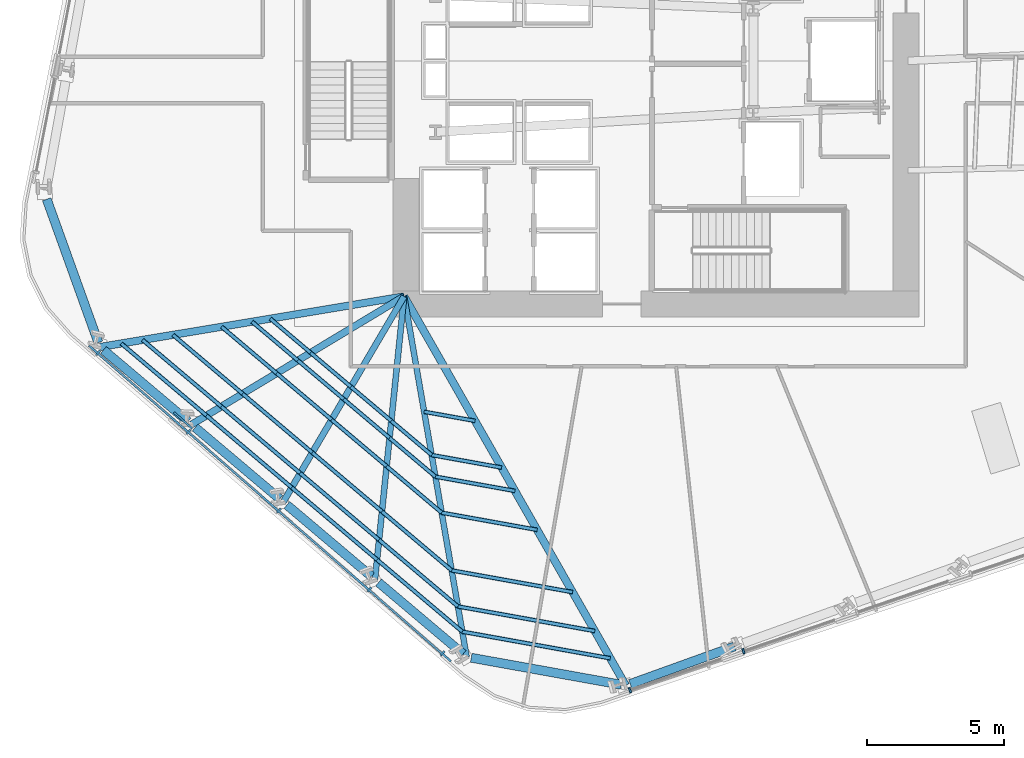
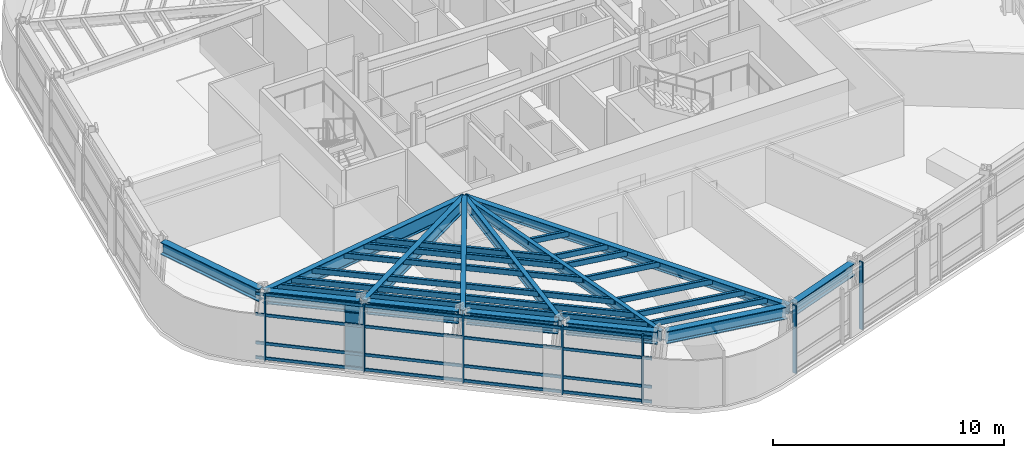
# One storey, part 2 of 16: 43 members, 13 beams, 2 elements without a shape of their own.
"""IFC4 building model written with IfcOpenShell, lengths in metres."""

from ifc_helpers import new_model, si_unit, direction, frame, origin, origin_2d, place, context, subcontext, project, spatial, rectangle, hollow_rectangle, i_section, extrude, material, layer, layer_set, material_profile, profile_set, type_object, element, aggregate, save


model = new_model("IFC4")

# Units and contexts
model_context = context("Model", 3, precision=1e-05, world=origin(), true_north=direction((0.0, 1.0)))
body_context = subcontext(model_context, "Body", "Model", "MODEL_VIEW")
ifc_project = project(units=[si_unit("LENGTHUNIT", "METRE"), si_unit("AREAUNIT", "SQUARE_METRE"), si_unit("VOLUMEUNIT", "CUBIC_METRE"), si_unit("PLANEANGLEUNIT", "RADIAN"), si_unit("MASSUNIT", "GRAM", prefix="KILO")], contexts=[model_context])

# Site, building, storey
site_placement = place(None, origin())
site = spatial("IfcSite", under=ifc_project, at=site_placement, CompositionType="ELEMENT")
building_placement = place(site_placement, origin())
building = spatial("IfcBuilding", under=site, at=building_placement, Name="Valkerne Bourse Tower", CompositionType="ELEMENT")
storey_placement = place(building_placement, frame((0.0, 0.0, 104.800048828125)))
storey = spatial("IfcBuildingStorey", under=building, at=storey_placement, Name="L26", CompositionType="ELEMENT", Elevation=104.800048828125)

# Beams
ifc_material_1 = material(Name="Steel ASTM A992", Category="steel")
ifc_material_profile_1 = material_profile(ifc_material_1, i_section(OverallWidth=0.279296875, OverallDepth=0.46240234375, WebThickness=0.0107421875, FlangeThickness=0.017333984375, FilletRadius=0.017822265625, at=origin_2d()), Name="W18X76")
ifc_profile_set_1 = profile_set([ifc_material_profile_1], Name="Steel ASTM A992")
beam_type_1 = type_object("IfcBeamType", Name="BM-W18X76", PredefinedType="BEAM", material=ifc_profile_set_1)
beam_1_placement = place(storey_placement, frame((45.6953125, 4.189697265625, 3.3486328125), z_axis=(-0.494990637819, 0.868898307324, 0.0), x_axis=(-0.868898307324, -0.494990637819, 0.0)))
element("IfcBeam", 1, at=beam_1_placement, inside=storey, type_object=beam_type_1, Name="L26 Radial Composite Floor Beam 20", PredefinedType="BEAM", context=body_context, shape_type="SweptSolid", body=[
    extrude(i_section(OverallWidth=0.279296875, OverallDepth=0.46240234375, WebThickness=0.0107421875, FlangeThickness=0.017333984375, FilletRadius=0.017822265625, at=origin_2d()), origin(), (0.0, 0.0, 1.0), 16.354248046875),
])
ifc_material_profile_2 = material_profile(ifc_material_1, i_section(OverallWidth=0.209228515625, OverallDepth=0.533447265625, WebThickness=0.01025390625, FlangeThickness=0.015625, FilletRadius=0.017822265625, at=origin_2d()), Name="W21X62")
ifc_profile_set_2 = profile_set([ifc_material_profile_2], Name="Steel ASTM A992")
beam_type_2 = type_object("IfcBeamType", Name="BM-W21X62", PredefinedType="JOIST", material=ifc_profile_set_2)
beam_2_placement = place(storey_placement, frame((39.88427734375, 5.235107421875, 3.313232421875), z_axis=(-0.170952521715, 0.98527926768, 0.0), x_axis=(-0.98527926768, -0.170952521715, 0.0)))
element("IfcBeam", 2, at=beam_2_placement, inside=storey, type_object=beam_type_2, Name="L26 Radial Composite Floor Beam 19", PredefinedType="JOIST", context=body_context, shape_type="SweptSolid", body=[
    extrude(i_section(OverallWidth=0.209228515625, OverallDepth=0.533447265625, WebThickness=0.01025390625, FlangeThickness=0.015625, FilletRadius=0.017822265625, at=origin_2d()), origin(), (0.0, 0.0, 1.0), 13.361572265625),
])
ifc_material_profile_3 = material_profile(ifc_material_1, i_section(OverallWidth=0.2138671875, OverallDepth=0.548583984375, WebThickness=0.0146484375, FlangeThickness=0.023681640625, FilletRadius=0.017822265625, at=origin_2d()), Name="W21X93")
ifc_profile_set_3 = profile_set([ifc_material_profile_3], Name="Steel ASTM A992")
beam_type_3 = type_object("IfcBeamType", Name="BM-W21X93", PredefinedType="BEAM", material=ifc_profile_set_3)
beam_3_placement = place(storey_placement, frame((36.53662109375, 8.064208984375, 3.3056640625), z_axis=(0.102353202084, 0.994748119889, 0.0), x_axis=(-0.994748119889, 0.102353202084, 0.0)))
element("IfcBeam", 3, at=beam_3_placement, inside=storey, type_object=beam_type_3, Name="L26 Radial Composite Floor Beam 18", PredefinedType="BEAM", context=body_context, shape_type="SweptSolid", body=[
    extrude(i_section(OverallWidth=0.2138671875, OverallDepth=0.548583984375, WebThickness=0.0146484375, FlangeThickness=0.023681640625, FilletRadius=0.017822265625, at=origin_2d()), origin(), (0.0, 0.0, 1.0), 10.390380859375),
])
ifc_material_profile_4 = material_profile(ifc_material_1, i_section(OverallWidth=0.330078125, OverallDepth=0.647705078125, WebThickness=0.0205078125, FlangeThickness=0.037109375, FilletRadius=0.020263671875, at=origin_2d()), Name="W24X192")
ifc_profile_set_4 = profile_set([ifc_material_profile_4], Name="Steel ASTM A992")
beam_type_4 = type_object("IfcBeamType", Name="BM-W24X192", PredefinedType="SPANDREL", material=ifc_profile_set_4)
beam_4_placement = place(storey_placement, frame((24.55078125, 21.947021484375, 3.256103515625), z_axis=(0.338736557211, -0.940881259676, 0.0), x_axis=(0.940881259676, 0.338736557211, 0.0)))
element("IfcBeam", 4, at=beam_4_placement, inside=storey, type_object=beam_type_4, Name="L26 Hexagonal Spandrel Ring Beam 14", PredefinedType="SPANDREL", context=body_context, shape_type="SweptSolid", body=[
    extrude(i_section(OverallWidth=0.330078125, OverallDepth=0.647705078125, WebThickness=0.0205078125, FlangeThickness=0.037109375, FilletRadius=0.020263671875, at=origin_2d()), origin(), (0.0, 0.0, 1.0), 5.56494140625),
])
for number, where, z_axis, x_axis, name in (
    (5, (26.623046875, 16.441650390625, 3.256103515625), (0.763802987372, -0.645449453081, 0.0), (0.645449453081, 0.763802987372, 0.0), "L26 Hexagonal Spandrel Ring Beam 15"),
    (6, (29.970947265625, 13.612548828125, 3.256103515625), (0.763802987372, -0.645449453081, 0.0), (0.645449453081, 0.763802987372, 0.0), "L26 Hexagonal Spandrel Ring Beam 16"),
    (7, (33.318603515625, 10.78369140625, 3.256103515625), (0.763773218411, -0.645484679011, 0.0), (0.645484679011, 0.763773218411, 0.0), "L26 Hexagonal Spandrel Ring Beam 17"),
    (8, (36.666259765625, 7.95458984375, 3.256103515625), (0.763802987372, -0.645449453081, 0.0), (0.645449453081, 0.763802987372, 0.0), "L26 Hexagonal Spandrel Ring Beam 18"),
):
    element("IfcBeam", number, at=place(storey_placement, frame(where, z_axis=z_axis, x_axis=x_axis)), inside=storey, type_object=beam_type_4, Name=name, PredefinedType="SPANDREL", context=body_context, shape_type="SweptSolid", body=[
        extrude(i_section(OverallWidth=0.330078125, OverallDepth=0.647705078125, WebThickness=0.0205078125, FlangeThickness=0.037109375, FilletRadius=0.020263671875, at=origin_2d()), origin(), (0.0, 0.0, 1.0), 4.043212890625),
    ])
beam_5_placement = place(storey_placement, frame((40.051513671875, 5.205078125, 3.256103515625), z_axis=(0.984196784419, -0.177078201762, 0.0), x_axis=(0.177078201762, 0.984196784419, 0.0)))
element("IfcBeam", 9, at=beam_5_placement, inside=storey, type_object=beam_type_4, Name="L26 Hexagonal Spandrel Ring Beam 19", PredefinedType="SPANDREL", context=body_context, shape_type="SweptSolid", body=[
    extrude(i_section(OverallWidth=0.330078125, OverallDepth=0.647705078125, WebThickness=0.0205078125, FlangeThickness=0.037109375, FilletRadius=0.020263671875, at=origin_2d()), origin(), (0.0, 0.0, 1.0), 5.564453125),
])
beam_6_placement = place(storey_placement, frame((45.855224609375, 4.247314453125, 3.256103515625), z_axis=(0.940897418374, 0.338691671137, 0.0), x_axis=(-0.338691671137, 0.940897418374, 0.0)))
element("IfcBeam", 10, at=beam_6_placement, inside=storey, type_object=beam_type_4, Name="L26 Hexagonal Spandrel Ring Beam 20", PredefinedType="SPANDREL", context=body_context, shape_type="SweptSolid", body=[
    extrude(i_section(OverallWidth=0.330078125, OverallDepth=0.647705078125, WebThickness=0.0205078125, FlangeThickness=0.037109375, FilletRadius=0.020263671875, at=origin_2d()), origin(), (0.0, 0.0, 1.0), 4.043212890625),
])
ifc_material_profile_5 = material_profile(ifc_material_1, i_section(OverallWidth=0.228271484375, OverallDepth=0.607177734375, WebThickness=0.01123046875, FlangeThickness=0.017333984375, FilletRadius=0.017822265625, at=origin_2d()), Name="W24X76")
ifc_profile_set_5 = profile_set([ifc_material_profile_5], Name="Steel ASTM A992")
beam_type_5 = type_object("IfcBeamType", Name="BM-W24X76", PredefinedType="JOIST", material=ifc_profile_set_5)
beam_7_placement = place(storey_placement, frame((33.188720703125, 10.893310546875, 3.2763671875), z_axis=(0.506656137035, 0.862148223222, 0.0), x_axis=(-0.862148223222, 0.506656137035, 0.0)))
element("IfcBeam", 11, at=beam_7_placement, inside=storey, type_object=beam_type_5, Name="L26 Radial Composite Floor Beam 17", PredefinedType="JOIST", context=body_context, shape_type="SweptSolid", body=[
    extrude(i_section(OverallWidth=0.228271484375, OverallDepth=0.607177734375, WebThickness=0.01123046875, FlangeThickness=0.017333984375, FilletRadius=0.017822265625, at=origin_2d()), origin(), (0.0, 0.0, 1.0), 8.706787109375),
])
ifc_material_profile_6 = material_profile(ifc_material_1, i_section(OverallWidth=0.255859375, OverallDepth=0.693359375, WebThickness=0.014404296875, FlangeThickness=0.023681640625, FilletRadius=0.02294921875, at=origin_2d()), Name="W27X114")
ifc_profile_set_6 = profile_set([ifc_material_profile_6], Name="Steel ASTM A992")
beam_type_6 = type_object("IfcBeamType", Name="BM-W27X114", PredefinedType="BEAM", material=ifc_profile_set_6)
beam_8_placement = place(storey_placement, frame((29.841064453125, 13.722412109375, 3.233154296875), z_axis=(0.856416327902, 0.51628584457, 0.0), x_axis=(-0.51628584457, 0.856416327902, 0.0)))
element("IfcBeam", 12, at=beam_8_placement, inside=storey, type_object=beam_type_6, Name="L26 Radial Composite Floor Beam 16", PredefinedType="BEAM", context=body_context, shape_type="SweptSolid", body=[
    extrude(i_section(OverallWidth=0.255859375, OverallDepth=0.693359375, WebThickness=0.014404296875, FlangeThickness=0.023681640625, FilletRadius=0.02294921875, at=origin_2d()), origin(), (0.0, 0.0, 1.0), 9.059814453125),
])
ifc_material_profile_7 = material_profile(ifc_material_1, i_section(OverallWidth=0.26806640625, OverallDepth=0.76953125, WebThickness=0.015625, FlangeThickness=0.025390625, FilletRadius=0.025390625, at=origin_2d()), Name="W30X132")
ifc_profile_set_7 = profile_set([ifc_material_profile_7], Name="Steel ASTM A992")
beam_type_7 = type_object("IfcBeamType", Name="BM-W30X132", PredefinedType="BEAM", material=ifc_profile_set_7)
beam_9_placement = place(storey_placement, frame((26.493408203125, 16.551513671875, 3.195068359375), z_axis=(0.986433159846, 0.164163397736, 0.0), x_axis=(-0.164163397736, 0.986433159846, 0.0)))
element("IfcBeam", 13, at=beam_9_placement, inside=storey, type_object=beam_type_7, Name="L26 Radial Composite Floor Beam 15", PredefinedType="BEAM", context=body_context, shape_type="SweptSolid", body=[
    extrude(i_section(OverallWidth=0.26806640625, OverallDepth=0.76953125, WebThickness=0.015625, FlangeThickness=0.025390625, FilletRadius=0.025390625, at=origin_2d()), origin(), (0.0, 0.0, 1.0), 11.259521484375),
])

# Curtain wall, members
ifc_material_2 = material(Name="Aluminium AA 6063-T6", Category="aluminium")
ifc_layer = layer(ifc_material_2, 0.22998046875)
ifc_layer_set = layer_set([ifc_layer], Name="Aluminium AA 6063-T6")
curtain_wall_type = type_object("IfcCurtainWallType", Name="CW-02", PredefinedType="NOTDEFINED", material=ifc_layer_set)
curtain_wall_1_placement = place(storey_placement, origin())
curtain_wall_1 = element("IfcCurtainWall", 14, at=curtain_wall_1_placement, inside=storey, type_object=curtain_wall_type, Name="L26 Hexagonal Stick Curtain Wall Face 4", PredefinedType="NOTDEFINED")
ifc_material_profile_8 = material_profile(ifc_material_2, rectangle(XDim=0.074951171875, YDim=0.199951171875, at=origin_2d()), Name="CWM-75X200")
ifc_profile_set_8 = profile_set([ifc_material_profile_8], Name="Aluminium AA 6063-T6")
member_type_1 = type_object("IfcMemberType", Name="CW-MUL-220X75", PredefinedType="MULLION", material=ifc_profile_set_8)
member_1_placement = place(storey_placement, frame((26.4248046875, 16.33935546875, 0.0), z_axis=(0.0, 0.0, 1.0), x_axis=(0.753563766815, -0.657374816481, 0.0)))
member_1 = element("IfcMember", 15, at=member_1_placement, type_object=member_type_1, Name="CW-L26-F4 Jamb Mullion 00A", PredefinedType="MULLION", context=body_context, shape_type="SweptSolid", body=[
    extrude(rectangle(XDim=0.074951171875, YDim=0.199951171875, at=origin_2d()), origin(), (0.0, 0.0, 1.0), 3.579833984375),
])
member_2_placement = place(storey_placement, frame((29.7275390625, 13.4580078125, 0.0), z_axis=(0.0, 0.0, 1.0), x_axis=(0.753575068934, -0.65736186038, 0.0)))
member_2 = element("IfcMember", 16, at=member_2_placement, type_object=member_type_1, Name="CW-L26-F4 Jamb Mullion 01A", PredefinedType="MULLION", context=body_context, shape_type="SweptSolid", body=[
    extrude(rectangle(XDim=0.074951171875, YDim=0.199951171875, at=origin_2d()), origin(), (0.0, 0.0, 1.0), 3.579833984375),
])
member_3_placement = place(storey_placement, frame((33.030517578125, 10.576904296875, 0.0), z_axis=(0.0, 0.0, 1.0), x_axis=(0.75355390716, -0.657386118658, 0.0)))
member_3 = element("IfcMember", 17, at=member_3_placement, type_object=member_type_1, Name="CW-L26-F4 Jamb Mullion 02A", PredefinedType="MULLION", context=body_context, shape_type="SweptSolid", body=[
    extrude(rectangle(XDim=0.074951171875, YDim=0.199951171875, at=origin_2d()), origin(), (0.0, 0.0, 1.0), 3.579833984375),
])
member_4_placement = place(storey_placement, frame((36.333251953125, 7.695556640625, 0.0), z_axis=(0.0, 0.0, 1.0), x_axis=(0.753563766815, -0.657374816481, 0.0)))
member_4 = element("IfcMember", 18, at=member_4_placement, type_object=member_type_1, Name="CW-L26-F4 Jamb Mullion 03A", PredefinedType="MULLION", context=body_context, shape_type="SweptSolid", body=[
    extrude(rectangle(XDim=0.074951171875, YDim=0.199951171875, at=origin_2d()), origin(), (0.0, 0.0, 1.0), 3.579833984375),
])
member_5_placement = place(storey_placement, frame((39.003173828125, 5.366455078125, 0.0), z_axis=(0.0, 0.0, 1.0), x_axis=(0.753563766815, -0.657374816481, 0.0)))
member_5 = element("IfcMember", 19, at=member_5_placement, type_object=member_type_1, Name="CW-L26-F4 Jamb Mullion 03B", PredefinedType="MULLION", context=body_context, shape_type="SweptSolid", body=[
    extrude(rectangle(XDim=0.074951171875, YDim=0.199951171875, at=origin_2d()), origin(), (0.0, 0.0, 1.0), 3.579833984375),
])

curtain_wall_2_placement = place(storey_placement, origin())
curtain_wall_2 = element("IfcCurtainWall", 20, at=curtain_wall_2_placement, inside=storey, type_object=curtain_wall_type, Name="L26 Hexagonal Stick Curtain Wall Face 5", PredefinedType="NOTDEFINED")
member_6_placement = place(storey_placement, frame((45.8447265625, 4.024169921875, 0.0), z_axis=(0.0, 0.0, 1.0), x_axis=(0.946087647887, 0.323910732325, 0.0)))
member_6 = element("IfcMember", 21, at=member_6_placement, type_object=member_type_1, Name="CW-L26-F5 Jamb Mullion 00A", PredefinedType="MULLION", context=body_context, shape_type="SweptSolid", body=[
    extrude(rectangle(XDim=0.074951171875, YDim=0.199951171875, at=origin_2d()), origin(), (0.0, 0.0, 1.0), 3.579833984375),
])
member_7_placement = place(storey_placement, frame((49.991455078125, 5.44384765625, 0.0), z_axis=(0.0, 0.0, 1.0), x_axis=(0.946087647887, 0.323910732325, 0.0)))
member_7 = element("IfcMember", 22, at=member_7_placement, type_object=member_type_1, Name="CW-L26-F5 Jamb Mullion 01A", PredefinedType="MULLION", context=body_context, shape_type="SweptSolid", body=[
    extrude(rectangle(XDim=0.074951171875, YDim=0.199951171875, at=origin_2d()), origin(), (0.0, 0.0, 1.0), 3.579833984375),
])
aggregate(curtain_wall_2, [member_6, member_7])

# Member
ifc_material_profile_9 = material_profile(ifc_material_2, rectangle(XDim=0.074951171875, YDim=0.14990234375, at=origin_2d()), Name="CWT-75X150")
ifc_profile_set_9 = profile_set([ifc_material_profile_9], Name="Aluminium AA 6063-T6")
member_type_2 = type_object("IfcMemberType", Name="CW-TRN-180X65", PredefinedType="USERDEFINED", material=ifc_profile_set_9)
member_8_placement = place(storey_placement, frame((26.094970703125, 16.600341796875, 0.119873046875), z_axis=(0.753560984646, -0.657378005732, 0.0), x_axis=(0.657378005732, 0.753560984646, 0.0)))
member_8 = element("IfcMember", 23, at=member_8_placement, type_object=member_type_2, Name="CW-L26-F4 Continuous Face Transom 1", ObjectType="TRANSOM", PredefinedType="USERDEFINED", context=body_context, shape_type="SweptSolid", body=[
    extrude(rectangle(XDim=0.074951171875, YDim=0.14990234375, at=origin_2d()), origin(), (0.0, 0.0, 1.0), 17.531982421875),
])

member_9_placement = place(storey_placement, frame((26.094970703125, 16.600341796875, 0.89990234375), z_axis=(0.753560984646, -0.657378005732, 0.0), x_axis=(0.657378005732, 0.753560984646, 0.0)))
member_9 = element("IfcMember", 24, at=member_9_placement, type_object=member_type_2, Name="CW-L26-F4 Continuous Face Transom 2", ObjectType="TRANSOM", PredefinedType="USERDEFINED", context=body_context, shape_type="SweptSolid", body=[
    extrude(rectangle(XDim=0.074951171875, YDim=0.14990234375, at=origin_2d()), origin(), (0.0, 0.0, 1.0), 17.531982421875),
])

member_10_placement = place(storey_placement, frame((26.094970703125, 16.600341796875, 2.39990234375), z_axis=(0.753560984646, -0.657378005732, 0.0), x_axis=(0.657378005732, 0.753560984646, 0.0)))
member_10 = element("IfcMember", 25, at=member_10_placement, type_object=member_type_2, Name="CW-L26-F4 Continuous Face Transom 3", ObjectType="TRANSOM", PredefinedType="USERDEFINED", context=body_context, shape_type="SweptSolid", body=[
    extrude(rectangle(XDim=0.074951171875, YDim=0.14990234375, at=origin_2d()), origin(), (0.0, 0.0, 1.0), 17.531982421875),
])

member_11_placement = place(storey_placement, frame((26.094970703125, 16.600341796875, 3.5), z_axis=(0.753560984646, -0.657378005732, 0.0), x_axis=(0.657378005732, 0.753560984646, 0.0)))
member_11 = element("IfcMember", 26, at=member_11_placement, type_object=member_type_2, Name="CW-L26-F4 Continuous Face Transom 4", ObjectType="TRANSOM", PredefinedType="USERDEFINED", context=body_context, shape_type="SweptSolid", body=[
    extrude(rectangle(XDim=0.074951171875, YDim=0.14990234375, at=origin_2d()), origin(), (0.0, 0.0, 1.0), 17.531982421875),
])

aggregate(curtain_wall_1, [member_8, member_9, member_10, member_11, member_1, member_2, member_3, member_4, member_5])

# Members
ifc_material_3 = material(Name="Bronze Anodised Aluminium AA 6063-T6", Category="aluminium")
ifc_material_profile_10 = material_profile(ifc_material_3, rectangle(XDim=0.070068359375, YDim=0.89990234375, at=origin_2d()), Name="FIN-70X900")
ifc_profile_set_10 = profile_set([ifc_material_profile_10], Name="Bronze Anodised Aluminium AA 6063-T6")
member_type_3 = type_object("IfcMemberType", Name="FIN-SOLAR-900", PredefinedType="USERDEFINED", material=ifc_profile_set_10)
member_12_placement = place(storey_placement, frame((29.529296875, 13.86962890625, 0.00390625), z_axis=(0.0, 0.0, 1.0), x_axis=(-0.664079497951, -0.747661969343, 0.0)))
element("IfcMember", 27, at=member_12_placement, inside=storey, type_object=member_type_3, Name="L26 Bronze Anodised Solar Fin F4-01", ObjectType="SOLAR_FIN", PredefinedType="USERDEFINED", context=body_context, shape_type="SweptSolid", body=[
    extrude(rectangle(XDim=0.070068359375, YDim=0.89990234375, at=origin_2d()), origin(), (0.0, 0.0, 1.0), 3.572021484375),
])
ifc_material_4 = material(Name="Steel ASTM A500 Grade C", Category="steel")
ifc_material_profile_11 = material_profile(ifc_material_4, hollow_rectangle(XDim=0.14990234375, YDim=0.300048828125, WallThickness=0.012451171875, OuterFilletRadius=0.02490234375, at=origin_2d()), Name="HSS300X150X12.5")
ifc_profile_set_11 = profile_set([ifc_material_profile_11], Name="Steel ASTM A500 Grade C")
member_type_4 = type_object("IfcMemberType", Name="MBR-HSS300X150X12.5", PredefinedType="PURLIN", material=ifc_profile_set_11)
member_13_placement = place(storey_placement, frame((38.330810546875, 14.187255859375, 3.419921875), z_axis=(0.984207194957, -0.177020330457, 0.0), x_axis=(0.177020330457, 0.984207194957, 0.0)))
element("IfcMember", 28, at=member_13_placement, inside=storey, type_object=member_type_4, Name="L26 Secondary Composite Floor Purlin I-19", PredefinedType="PURLIN", context=body_context, shape_type="SweptSolid", body=[
    extrude(hollow_rectangle(XDim=0.14990234375, YDim=0.300048828125, WallThickness=0.012451171875, OuterFilletRadius=0.02490234375, at=origin_2d()), origin(), (0.0, 0.0, 1.0), 1.889404296875),
])
for number, where, z_axis, x_axis, name in (
    (29, (32.713134765625, 17.586669921875, 3.419921875), (0.763751108019, -0.645510840343, 0.0), (0.645510840343, 0.763751108019, 0.0), "L26 Secondary Composite Floor Purlin K-15"),
    (30, (34.18603515625, 16.341796875, 3.419921875), (0.763866257357, -0.645374574081, 0.0), (0.645374574081, 0.763866257357, 0.0), "L26 Secondary Composite Floor Purlin K-16"),
    (31, (35.6591796875, 15.09716796875, 3.419921875), (0.763751108019, -0.645510840343, 0.0), (0.645510840343, 0.763751108019, 0.0), "L26 Secondary Composite Floor Purlin K-17"),
    (32, (37.132080078125, 13.852294921875, 3.419921875), (0.763751108019, -0.645510840343, 0.0), (0.645510840343, 0.763751108019, 0.0), "L26 Secondary Composite Floor Purlin K-18"),
):
    element("IfcMember", number, at=place(storey_placement, frame(where, z_axis=z_axis, x_axis=x_axis)), inside=storey, type_object=member_type_4, Name=name, PredefinedType="PURLIN", context=body_context, shape_type="SweptSolid", body=[
        extrude(hollow_rectangle(XDim=0.14990234375, YDim=0.300048828125, WallThickness=0.012451171875, OuterFilletRadius=0.02490234375, at=origin_2d()), origin(), (0.0, 0.0, 1.0), 1.928466796875),
    ])
member_14_placement = place(storey_placement, frame((38.60498046875, 12.607421875, 3.419921875), z_axis=(0.984204942402, -0.177032853875, 0.0), x_axis=(0.177032853875, 0.984204942402, 0.0)))
element("IfcMember", 33, at=member_14_placement, inside=storey, type_object=member_type_4, Name="L26 Secondary Composite Floor Purlin K-19", PredefinedType="PURLIN", context=body_context, shape_type="SweptSolid", body=[
    extrude(hollow_rectangle(XDim=0.14990234375, YDim=0.300048828125, WallThickness=0.012451171875, OuterFilletRadius=0.02490234375, at=origin_2d()), origin(), (0.0, 0.0, 1.0), 2.59814453125),
])
member_15_placement = place(storey_placement, frame((32.046630859375, 17.4755859375, 3.419921875), z_axis=(0.763829761363, -0.645417768315, 0.0), x_axis=(0.645417768315, 0.763829761363, 0.0)))
element("IfcMember", 34, at=member_15_placement, inside=storey, type_object=member_type_4, Name="L26 Secondary Composite Floor Purlin M-15", PredefinedType="PURLIN", context=body_context, shape_type="SweptSolid", body=[
    extrude(hollow_rectangle(XDim=0.14990234375, YDim=0.300048828125, WallThickness=0.012451171875, OuterFilletRadius=0.02490234375, at=origin_2d()), origin(), (0.0, 0.0, 1.0), 2.191650390625),
])
for number, where, z_axis, x_axis, name in (
    (35, (33.720703125, 16.06103515625, 3.419921875), (0.763736932053, -0.645527612592, 0.0), (0.645527612592, 0.763736932053, 0.0), "L26 Secondary Composite Floor Purlin M-16"),
    (36, (35.394287109375, 14.646484375, 3.419921875), (0.763838275954, -0.645407691453, 0.0), (0.645407691453, 0.763838275954, 0.0), "L26 Secondary Composite Floor Purlin M-17"),
):
    element("IfcMember", number, at=place(storey_placement, frame(where, z_axis=z_axis, x_axis=x_axis)), inside=storey, type_object=member_type_4, Name=name, PredefinedType="PURLIN", context=body_context, shape_type="SweptSolid", body=[
        extrude(hollow_rectangle(XDim=0.14990234375, YDim=0.300048828125, WallThickness=0.012451171875, OuterFilletRadius=0.02490234375, at=origin_2d()), origin(), (0.0, 0.0, 1.0), 2.19140625),
    ])
member_16_placement = place(storey_placement, frame((37.068115234375, 13.232177734375, 3.419921875), z_axis=(0.763829761363, -0.645417768315, 0.0), x_axis=(0.645417768315, 0.763829761363, 0.0)))
element("IfcMember", 37, at=member_16_placement, inside=storey, type_object=member_type_4, Name="L26 Secondary Composite Floor Purlin M-18", PredefinedType="PURLIN", context=body_context, shape_type="SweptSolid", body=[
    extrude(hollow_rectangle(XDim=0.14990234375, YDim=0.300048828125, WallThickness=0.012451171875, OuterFilletRadius=0.02490234375, at=origin_2d()), origin(), (0.0, 0.0, 1.0), 2.191650390625),
])
member_17_placement = place(storey_placement, frame((38.7421875, 11.817626953125, 3.419921875), z_axis=(0.98420033344, -0.177058475245, 0.0), x_axis=(0.177058475245, 0.98420033344, 0.0)))
element("IfcMember", 38, at=member_17_placement, inside=storey, type_object=member_type_4, Name="L26 Secondary Composite Floor Purlin M-19", PredefinedType="PURLIN", context=body_context, shape_type="SweptSolid", body=[
    extrude(hollow_rectangle(XDim=0.14990234375, YDim=0.300048828125, WallThickness=0.012451171875, OuterFilletRadius=0.02490234375, at=origin_2d()), origin(), (0.0, 0.0, 1.0), 2.9521484375),
])
member_18_placement = place(storey_placement, frame((29.158935546875, 16.9951171875, 3.419921875), z_axis=(0.763775352292, -0.645482154077, 0.0), x_axis=(0.645482154077, 0.763775352292, 0.0)))
element("IfcMember", 39, at=member_18_placement, inside=storey, type_object=member_type_4, Name="L26 Secondary Composite Floor Purlin O-15", PredefinedType="PURLIN", context=body_context, shape_type="SweptSolid", body=[
    extrude(hollow_rectangle(XDim=0.14990234375, YDim=0.300048828125, WallThickness=0.012451171875, OuterFilletRadius=0.02490234375, at=origin_2d()), origin(), (0.0, 0.0, 1.0), 3.3310546875),
])
member_19_placement = place(storey_placement, frame((31.703125, 14.844970703125, 3.419921875), z_axis=(0.763805886612, -0.645446022202, 0.0), x_axis=(0.645446022202, 0.763805886612, 0.0)))
element("IfcMember", 40, at=member_19_placement, inside=storey, type_object=member_type_4, Name="L26 Secondary Composite Floor Purlin O-16", PredefinedType="PURLIN", context=body_context, shape_type="SweptSolid", body=[
    extrude(hollow_rectangle(XDim=0.14990234375, YDim=0.300048828125, WallThickness=0.012451171875, OuterFilletRadius=0.02490234375, at=origin_2d()), origin(), (0.0, 0.0, 1.0), 3.331298828125),
])
member_20_placement = place(storey_placement, frame((34.24755859375, 12.69482421875, 3.419921875), z_axis=(0.763811485979, -0.645439395982, 0.0), x_axis=(0.645439395982, 0.763811485979, 0.0)))
element("IfcMember", 41, at=member_20_placement, inside=storey, type_object=member_type_4, Name="L26 Secondary Composite Floor Purlin O-17", PredefinedType="PURLIN", context=body_context, shape_type="SweptSolid", body=[
    extrude(hollow_rectangle(XDim=0.14990234375, YDim=0.300048828125, WallThickness=0.012451171875, OuterFilletRadius=0.02490234375, at=origin_2d()), origin(), (0.0, 0.0, 1.0), 3.330810546875),
])
member_21_placement = place(storey_placement, frame((36.791748046875, 10.544921875, 3.419921875), z_axis=(0.763775352292, -0.645482154077, 0.0), x_axis=(0.645482154077, 0.763775352292, 0.0)))
element("IfcMember", 42, at=member_21_placement, inside=storey, type_object=member_type_4, Name="L26 Secondary Composite Floor Purlin O-18", PredefinedType="PURLIN", context=body_context, shape_type="SweptSolid", body=[
    extrude(hollow_rectangle(XDim=0.14990234375, YDim=0.300048828125, WallThickness=0.012451171875, OuterFilletRadius=0.02490234375, at=origin_2d()), origin(), (0.0, 0.0, 1.0), 3.3310546875),
])
member_22_placement = place(storey_placement, frame((39.3359375, 8.394775390625, 3.419921875), z_axis=(0.984194704719, -0.177089760302, 0.0), x_axis=(0.177089760302, 0.984194704719, 0.0)))
element("IfcMember", 43, at=member_22_placement, inside=storey, type_object=member_type_4, Name="L26 Secondary Composite Floor Purlin O-19", PredefinedType="PURLIN", context=body_context, shape_type="SweptSolid", body=[
    extrude(hollow_rectangle(XDim=0.14990234375, YDim=0.300048828125, WallThickness=0.012451171875, OuterFilletRadius=0.02490234375, at=origin_2d()), origin(), (0.0, 0.0, 1.0), 4.487548828125),
])
member_23_placement = place(storey_placement, frame((30.93603515625, 17.290771484375, 3.419921875), z_axis=(0.763812232645, -0.645438512379, 0.0), x_axis=(0.645438512379, 0.763812232645, 0.0)))
element("IfcMember", 44, at=member_23_placement, inside=storey, type_object=member_type_4, Name="L26 Secondary Composite Floor Purlin Z-15", PredefinedType="PURLIN", context=body_context, shape_type="SweptSolid", body=[
    extrude(hollow_rectangle(XDim=0.14990234375, YDim=0.300048828125, WallThickness=0.012451171875, OuterFilletRadius=0.02490234375, at=origin_2d()), origin(), (0.0, 0.0, 1.0), 2.629638671875),
])
for number, where, z_axis, x_axis, name in (
    (45, (32.944580078125, 15.593505859375, 3.419921875), (0.763805140113, -0.645446905591, 0.0), (0.645446905591, 0.763805140113, 0.0), "L26 Secondary Composite Floor Purlin Z-16"),
    (46, (34.953369140625, 13.89599609375, 3.419921875), (0.763766462868, -0.645492672459, 0.0), (0.645492672459, 0.763766462868, 0.0), "L26 Secondary Composite Floor Purlin Z-17"),
):
    element("IfcMember", number, at=place(storey_placement, frame(where, z_axis=z_axis, x_axis=x_axis)), inside=storey, type_object=member_type_4, Name=name, PredefinedType="PURLIN", context=body_context, shape_type="SweptSolid", body=[
        extrude(hollow_rectangle(XDim=0.14990234375, YDim=0.300048828125, WallThickness=0.012451171875, OuterFilletRadius=0.02490234375, at=origin_2d()), origin(), (0.0, 0.0, 1.0), 2.6298828125),
    ])
member_24_placement = place(storey_placement, frame((36.9619140625, 12.198486328125, 3.419921875), z_axis=(0.763812232645, -0.645438512379, 0.0), x_axis=(0.645438512379, 0.763812232645, 0.0)))
element("IfcMember", 47, at=member_24_placement, inside=storey, type_object=member_type_4, Name="L26 Secondary Composite Floor Purlin Z-18", PredefinedType="PURLIN", context=body_context, shape_type="SweptSolid", body=[
    extrude(hollow_rectangle(XDim=0.14990234375, YDim=0.300048828125, WallThickness=0.012451171875, OuterFilletRadius=0.02490234375, at=origin_2d()), origin(), (0.0, 0.0, 1.0), 2.629638671875),
])
member_25_placement = place(storey_placement, frame((38.970458984375, 10.501220703125, 3.419921875), z_axis=(0.984192453893, -0.177102269045, 0.0), x_axis=(0.177102269045, 0.984192453893, 0.0)))
element("IfcMember", 48, at=member_25_placement, inside=storey, type_object=member_type_4, Name="L26 Secondary Composite Floor Purlin Z-19", PredefinedType="PURLIN", context=body_context, shape_type="SweptSolid", body=[
    extrude(hollow_rectangle(XDim=0.14990234375, YDim=0.300048828125, WallThickness=0.012451171875, OuterFilletRadius=0.02490234375, at=origin_2d()), origin(), (0.0, 0.0, 1.0), 3.542724609375),
])
for number, where, z_axis, x_axis, name in (
    (49, (28.048095703125, 16.810302734375, 3.419921875), (0.763791484096, -0.64546306542, 0.0), (0.64546306542, 0.763791484096, 0.0), "L26 Secondary Composite Floor Purlin T-15"),
    (50, (30.92724609375, 14.377197265625, 3.419921875), (0.763791484096, -0.64546306542, 0.0), (0.64546306542, 0.763791484096, 0.0), "L26 Secondary Composite Floor Purlin T-16"),
):
    element("IfcMember", number, at=place(storey_placement, frame(where, z_axis=z_axis, x_axis=x_axis)), inside=storey, type_object=member_type_4, Name=name, PredefinedType="PURLIN", context=body_context, shape_type="SweptSolid", body=[
        extrude(hollow_rectangle(XDim=0.14990234375, YDim=0.300048828125, WallThickness=0.012451171875, OuterFilletRadius=0.02490234375, at=origin_2d()), origin(), (0.0, 0.0, 1.0), 3.76953125),
    ])
for number, where, z_axis, x_axis, name in (
    (51, (33.806396484375, 11.944091796875, 3.419921875), (0.763796431173, -0.645457211384, 0.0), (0.645457211384, 0.763796431173, 0.0), "L26 Secondary Composite Floor Purlin T-17"),
    (52, (36.685302734375, 9.51123046875, 3.419921875), (0.763823414335, -0.645425279729, 0.0), (0.645425279729, 0.763823414335, 0.0), "L26 Secondary Composite Floor Purlin T-18"),
):
    element("IfcMember", number, at=place(storey_placement, frame(where, z_axis=z_axis, x_axis=x_axis)), inside=storey, type_object=member_type_4, Name=name, PredefinedType="PURLIN", context=body_context, shape_type="SweptSolid", body=[
        extrude(hollow_rectangle(XDim=0.14990234375, YDim=0.300048828125, WallThickness=0.012451171875, OuterFilletRadius=0.02490234375, at=origin_2d()), origin(), (0.0, 0.0, 1.0), 3.769287109375),
    ])
member_26_placement = place(storey_placement, frame((39.564453125, 7.078369140625, 3.419921875), z_axis=(0.984196733617, -0.177078484119, 0.0), x_axis=(0.177078484119, 0.984196733617, 0.0)))
element("IfcMember", 53, at=member_26_placement, inside=storey, type_object=member_type_4, Name="L26 Secondary Composite Floor Purlin T-19", PredefinedType="PURLIN", context=body_context, shape_type="SweptSolid", body=[
    extrude(hollow_rectangle(XDim=0.14990234375, YDim=0.300048828125, WallThickness=0.012451171875, OuterFilletRadius=0.02490234375, at=origin_2d()), origin(), (0.0, 0.0, 1.0), 5.077880859375),
])
member_27_placement = place(storey_placement, frame((27.270751953125, 16.680908203125, 3.419921875), z_axis=(0.763799588638, -0.645453475006, 0.0), x_axis=(0.645453475006, 0.763799588638, 0.0)))
element("IfcMember", 54, at=member_27_placement, inside=storey, type_object=member_type_4, Name="L26 Secondary Composite Floor Purlin U-15", PredefinedType="PURLIN", context=body_context, shape_type="SweptSolid", body=[
    extrude(hollow_rectangle(XDim=0.14990234375, YDim=0.300048828125, WallThickness=0.012451171875, OuterFilletRadius=0.02490234375, at=origin_2d()), origin(), (0.0, 0.0, 1.0), 4.076416015625),
])
for number, where, z_axis, x_axis, name in (
    (55, (30.38427734375, 14.0498046875, 3.419921875), (0.763774635409, -0.645483002337, 0.0), (0.645483002337, 0.763774635409, 0.0), "L26 Secondary Composite Floor Purlin U-16"),
    (56, (33.49755859375, 11.418701171875, 3.419921875), (0.763774635409, -0.645483002337, 0.0), (0.645483002337, 0.763774635409, 0.0), "L26 Secondary Composite Floor Purlin U-17"),
    (57, (36.61083984375, 8.78759765625, 3.419921875), (0.763829115443, -0.645418532738, 0.0), (0.645418532738, 0.763829115443, 0.0), "L26 Secondary Composite Floor Purlin U-18"),
):
    element("IfcMember", number, at=place(storey_placement, frame(where, z_axis=z_axis, x_axis=x_axis)), inside=storey, type_object=member_type_4, Name=name, PredefinedType="PURLIN", context=body_context, shape_type="SweptSolid", body=[
        extrude(hollow_rectangle(XDim=0.14990234375, YDim=0.300048828125, WallThickness=0.012451171875, OuterFilletRadius=0.02490234375, at=origin_2d()), origin(), (0.0, 0.0, 1.0), 4.076171875),
    ])
member_28_placement = place(storey_placement, frame((39.724365234375, 6.15673828125, 3.419921875), z_axis=(0.984194794676, -0.177089260354, 0.0), x_axis=(0.177089260354, 0.984194794676, 0.0)))
element("IfcMember", 58, at=member_28_placement, inside=storey, type_object=member_type_4, Name="L26 Secondary Composite Floor Purlin U-19", PredefinedType="PURLIN", context=body_context, shape_type="SweptSolid", body=[
    extrude(hollow_rectangle(XDim=0.14990234375, YDim=0.300048828125, WallThickness=0.012451171875, OuterFilletRadius=0.02490234375, at=origin_2d()), origin(), (0.0, 0.0, 1.0), 5.490966796875),
])

save(model, "model.ifc")
